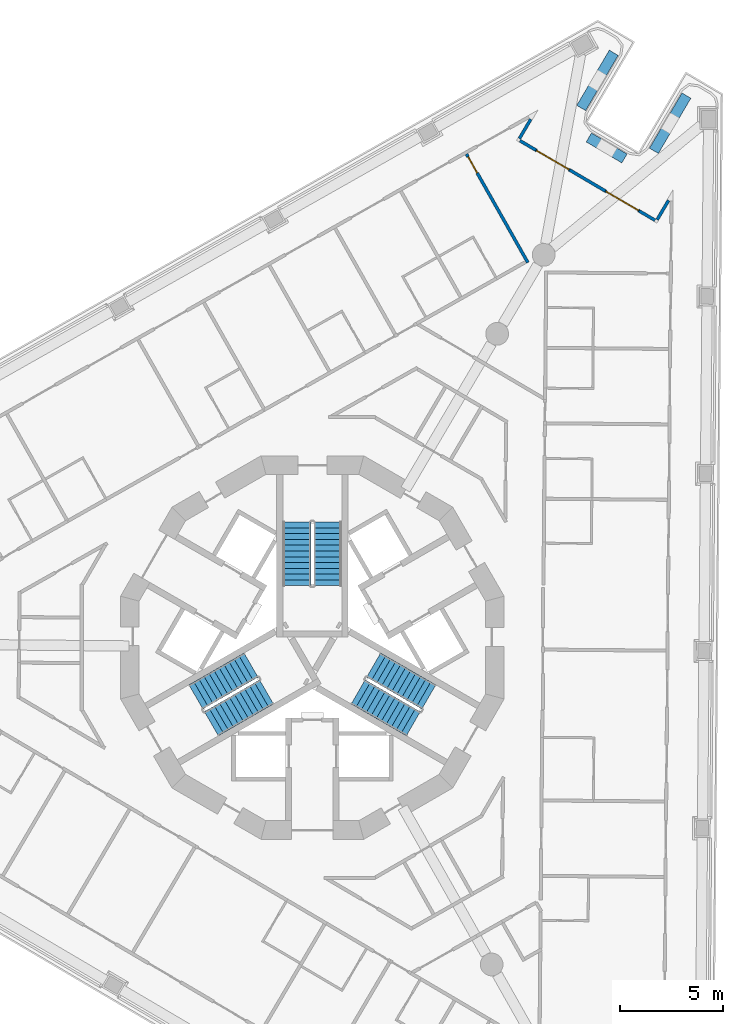
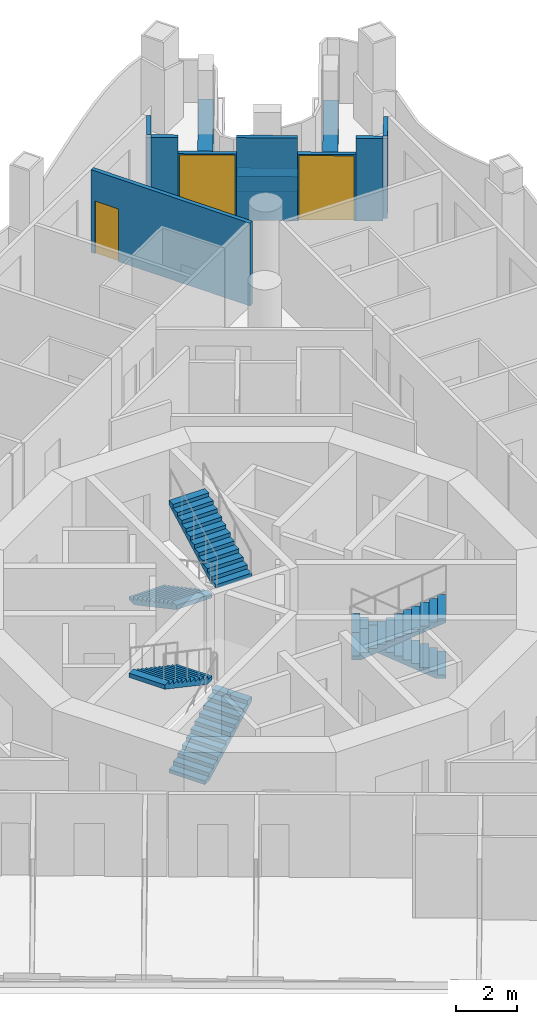
# One storey, part 10 of 17: 11 walls, 6 stair flights, 3 doors, 3 openings, 3 elements without a shape of their own.
"""IFC4 building model written with IfcOpenShell, lengths in metres."""

from ifc_helpers import new_model, si_unit, direction, frame, frame_2d, origin, place, context, subcontext, project, spatial, polyline, rectangle, outline, extrude, material, layer, layer_set, type_object, element, fill, aggregate, save


model = new_model("IFC4")

# Units and contexts
model_context = context("Model", 3, precision=1e-05, world=origin(), true_north=direction((0.0, 1.0)))
body_context = subcontext(model_context, "Body", "Model", "MODEL_VIEW")
ifc_project = project(units=[si_unit("LENGTHUNIT", "METRE"), si_unit("AREAUNIT", "SQUARE_METRE"), si_unit("VOLUMEUNIT", "CUBIC_METRE"), si_unit("PLANEANGLEUNIT", "RADIAN"), si_unit("MASSUNIT", "GRAM", prefix="KILO")], contexts=[model_context])

# Site, building, storey
site_placement = place(None, origin())
site = spatial("IfcSite", under=ifc_project, at=site_placement, CompositionType="ELEMENT")
building_placement = place(site_placement, origin())
building = spatial("IfcBuilding", under=site, at=building_placement, Name="Trine Commons Tower", CompositionType="ELEMENT")
storey_placement = place(building_placement, frame((0.0, 0.0, 179.10009765625)))
storey = spatial("IfcBuildingStorey", under=building, at=storey_placement, Name="L46", CompositionType="ELEMENT", Elevation=179.10009765625)

# Walls
ifc_material_1 = material(Name="Aluminium-framed insulated wall panel", Category="aluminium")
ifc_layer_1 = layer(ifc_material_1, 0.14990234375)
ifc_layer_set_1 = layer_set([ifc_layer_1], Name="Aluminium-framed insulated wall panel")
wall_type_1 = type_object("IfcWallType", Name="Glazed frame wall 150, EI 60", PredefinedType="SOLIDWALL", material=ifc_layer_set_1)
wall_1_placement = place(storey_placement, frame((90.63720703125, 88.173583984375, 0.0), z_axis=(0.0, 0.0, 1.0), x_axis=(-0.507591242276, -0.861598009958, 0.0)))
element("IfcWall", 1, at=wall_1_placement, inside=storey, type_object=wall_type_1, Name="Glazed frame wall R5", PredefinedType="SOLIDWALL", context=body_context, shape_type="SweptSolid", body=[
    extrude(outline(polyline([(0.1494140625, 0.074951171875), (0.1494140625, -0.074951171875), (1.235107421875, -0.074951171875), (1.235107421875, 0.074951171875), (0.1494140625, 0.074951171875)])), origin(), (0.0, 0.0, 1.0), 3.2998046875),
])
wall_2_placement = place(storey_placement, frame((89.9423828125, 87.062744140625, 0.0), z_axis=(0.0, 0.0, 1.0), x_axis=(0.861601384654, -0.50758551394, 0.0)))
element("IfcWall", 2, at=wall_2_placement, inside=storey, type_object=wall_type_1, Name="Glazed frame wall P2.1", PredefinedType="SOLIDWALL", context=body_context, shape_type="SweptSolid", body=[
    extrude(outline(polyline([(0.110107421875, -0.074951171875), (1.0, -0.074951171875), (1.0, 0.074951171875), (0.110107421875, 0.074951171875), (0.110107421875, -0.074951171875)])), origin(), (0.0, 0.0, 1.0), 3.2998046875),
])

# Wall, opening, door
wall_3_placement = place(storey_placement, frame((90.803955078125, 86.55517578125, 0.0), z_axis=(0.0, 0.0, 1.0), x_axis=(0.861603693734, -0.50758159437, 0.0)))
wall_3 = element("IfcWall", 3, at=wall_3_placement, inside=storey, type_object=wall_type_1, Name="Glazed frame wall P2.2", PredefinedType="SOLIDWALL", context=body_context, shape_type="SweptSolid", body=[
    extrude(outline(polyline([(0.0, -0.074951171875), (1.89990234375, -0.074951171875), (1.89990234375, 0.074951171875), (0.0, 0.074951171875), (0.0, -0.074951171875)])), origin(), (0.0, 0.0, 1.0), 2.64990234375),
])
opening_1_placement = place(wall_3_placement, frame((0.050048828125, 0.0, 0.0)))
opening_1 = element("IfcOpeningElement", 4, at=opening_1_placement, cuts=wall_3, Name="Opening BD-5P2-01", PredefinedType="OPENING", context=body_context, shape_type="SweptSolid", body=[
    extrude(rectangle(XDim=1.800048828125, YDim=2.60009765625, at=frame_2d((0.89990234375, 1.300048828125))), frame((0.0, 0.0849609375, 0.0), z_axis=(0.0, -1.0, 0.0), x_axis=(1.0, 0.0, 0.0)), (0.0, 0.0, 1.0), 0.169921875),
])
ifc_material_2 = material(Name="Anodised aluminium frame with double glazing", Category="aluminium")
door_type_1 = type_object("IfcDoorType", Name="Sliding loggia door 1800x2600", OperationType="SLIDING_TO_LEFT", PredefinedType="DOOR", material=ifc_material_2)
door_1_placement = place(opening_1_placement, origin())
door_1 = element("IfcDoor", 5, at=door_1_placement, inside=storey, type_object=door_type_1, Name="Loggia door P2 1", OperationType="SLIDING_TO_LEFT", OverallHeight=2.60009765625, OverallWidth=1.800048828125, PredefinedType="DOOR", context=body_context, shape_type="SweptSolid", body=[
    extrude(rectangle(XDim=1.800048828125, YDim=2.60009765625, at=frame_2d((0.89990234375, 1.300048828125))), frame((0.0, 0.02490234375, 0.0), z_axis=(0.0, -1.0, 0.0), x_axis=(1.0, 0.0, 0.0)), (0.0, 0.0, 1.0), 0.050048828125),
])
fill(opening_1, door_1)

# Wall
wall_4_placement = place(storey_placement, frame((92.44091796875, 85.5908203125, 0.0), z_axis=(0.0, 0.0, 1.0), x_axis=(0.861632831324, -0.507532130988, 0.0)))
element("IfcWall", 6, at=wall_4_placement, inside=storey, type_object=wall_type_1, Name="Glazed frame wall P2.3", PredefinedType="SOLIDWALL", context=body_context, shape_type="SweptSolid", body=[
    extrude(outline(polyline([(0.0, -0.074951171875), (2.0, -0.074951171875), (2.0, 0.074951171875), (0.0, 0.074951171875), (0.0, -0.074951171875)])), origin(), (0.0, 0.0, 1.0), 3.2998046875),
])

# Wall, opening, door
wall_5_placement = place(storey_placement, frame((94.164306640625, 84.57568359375, 0.0), z_axis=(0.0, 0.0, 1.0), x_axis=(0.86165989029, -0.507486190418, 0.0)))
wall_5 = element("IfcWall", 7, at=wall_5_placement, inside=storey, type_object=wall_type_1, Name="Glazed frame wall P2.4", PredefinedType="SOLIDWALL", context=body_context, shape_type="SweptSolid", body=[
    extrude(outline(polyline([(0.0, -0.074951171875), (1.89990234375, -0.074951171875), (1.89990234375, 0.074951171875), (0.0, 0.074951171875), (0.0, -0.074951171875)])), origin(), (0.0, 0.0, 1.0), 2.64990234375),
])
opening_2_placement = place(wall_5_placement, frame((0.050048828125, 0.0, 0.0)))
opening_2 = element("IfcOpeningElement", 8, at=opening_2_placement, cuts=wall_5, Name="Opening BD-5P2-02", PredefinedType="OPENING", context=body_context, shape_type="SweptSolid", body=[
    extrude(rectangle(XDim=1.800048828125, YDim=2.60009765625, at=frame_2d((0.89990234375, 1.300048828125))), frame((0.0, 0.0849609375, 0.0), z_axis=(0.0, -1.0, 0.0), x_axis=(1.0, 0.0, 0.0)), (0.0, 0.0, 1.0), 0.169921875),
])
door_2_placement = place(opening_2_placement, origin())
door_2 = element("IfcDoor", 9, at=door_2_placement, inside=storey, type_object=door_type_1, Name="Loggia door P2 2", OperationType="SLIDING_TO_LEFT", OverallHeight=2.60009765625, OverallWidth=1.800048828125, PredefinedType="DOOR", context=body_context, shape_type="SweptSolid", body=[
    extrude(rectangle(XDim=1.800048828125, YDim=2.60009765625, at=frame_2d((0.89990234375, 1.300048828125))), frame((0.0, 0.02490234375, 0.0), z_axis=(0.0, -1.0, 0.0), x_axis=(1.0, 0.0, 0.0)), (0.0, 0.0, 1.0), 0.050048828125),
])
fill(opening_2, door_2)

# Walls
wall_6_placement = place(storey_placement, frame((95.80126953125, 83.611572265625, 0.0), z_axis=(0.0, 0.0, 1.0), x_axis=(0.861664268073, -0.507478757315, 0.0)))
element("IfcWall", 10, at=wall_6_placement, inside=storey, type_object=wall_type_1, Name="Glazed frame wall P2.5", PredefinedType="SOLIDWALL", context=body_context, shape_type="SweptSolid", body=[
    extrude(outline(polyline([(0.889892578125, 0.074951171875), (0.0, 0.074951171875), (0.0, -0.074951171875), (0.889892578125, -0.074951171875), (0.889892578125, 0.074951171875)])), origin(), (0.0, 0.0, 1.0), 3.2998046875),
])
wall_7_placement = place(storey_placement, frame((96.614990234375, 83.091552734375, 0.0), z_axis=(0.0, 0.0, 1.0), x_axis=(0.507511857062, 0.86164477306, 0.0)))
element("IfcWall", 11, at=wall_7_placement, inside=storey, type_object=wall_type_1, Name="Glazed frame wall R7", PredefinedType="SOLIDWALL", context=body_context, shape_type="SweptSolid", body=[
    extrude(outline(polyline([(0.110107421875, 0.074951171875), (0.110107421875, -0.074951171875), (1.19580078125, -0.074951171875), (1.19580078125, 0.074951171875), (0.110107421875, 0.074951171875)])), origin(), (0.0, 0.0, 1.0), 3.2998046875),
])
ifc_material_3 = material(Name="Planter trough, precast concrete C40/50", Category="concrete")
ifc_layer_2 = layer(ifc_material_3, 0.5)
ifc_layer_set_2 = layer_set([ifc_layer_2], Name="Planter trough, precast concrete C40/50")
wall_type_2 = type_object("IfcWallType", Name="Planter trough 500x600", PredefinedType="PARAPET", material=ifc_layer_set_2)
wall_8_placement = place(storey_placement, frame((94.572509765625, 91.25830078125, 0.0), z_axis=(0.0, 0.0, 1.0), x_axis=(-0.507587916184, -0.861599969443, 0.0)))
element("IfcWall", 12, at=wall_8_placement, inside=storey, type_object=wall_type_2, Name="Planter 4", PredefinedType="PARAPET", context=body_context, shape_type="SweptSolid", body=[
    extrude(rectangle(XDim=3.099853515625, YDim=0.5, at=frame_2d((1.5498046875, 0.0))), origin(), (0.0, 0.0, 1.0), 0.599853515625),
])
wall_9_placement = place(storey_placement, frame((93.3671875, 87.163330078125, 0.0), z_axis=(0.0, 0.0, 1.0), x_axis=(0.861632831324, -0.507532130988, 0.0)))
element("IfcWall", 13, at=wall_9_placement, inside=storey, type_object=wall_type_2, Name="Planter 5", PredefinedType="PARAPET", context=body_context, shape_type="SweptSolid", body=[
    extrude(rectangle(XDim=2.000244140625, YDim=0.5, at=frame_2d((1.0, 0.0))), origin(), (0.0, 0.0, 1.0), 0.599853515625),
])
wall_10_placement = place(storey_placement, frame((96.514404296875, 86.5166015625, 0.0), z_axis=(0.0, 0.0, 1.0), x_axis=(0.507587916184, 0.861599969443, 0.0)))
element("IfcWall", 14, at=wall_10_placement, inside=storey, type_object=wall_type_2, Name="Planter 6", PredefinedType="PARAPET", context=body_context, shape_type="SweptSolid", body=[
    extrude(rectangle(XDim=3.099853515625, YDim=0.5, at=frame_2d((1.5498046875, 0.0))), origin(), (0.0, 0.0, 1.0), 0.599853515625),
])

# Wall, opening, door
ifc_material_4 = material(Name="Gypsum plasterboard on steel stud", Category="steel")
ifc_layer_3 = layer(ifc_material_4, 0.14990234375)
ifc_layer_set_3 = layer_set([ifc_layer_3], Name="Gypsum plasterboard on steel stud")
wall_type_3 = type_object("IfcWallType", Name="Unit and corridor wall 150 mm, EI 60", PredefinedType="PARTITIONING", material=ifc_layer_set_3)
wall_11_placement = place(storey_placement, frame((87.45263671875, 86.361083984375, 0.0), z_axis=(0.0, 0.0, 1.0), x_axis=(0.492389730591, -0.870374834889, 0.0)))
wall_11 = element("IfcWall", 15, at=wall_11_placement, inside=storey, type_object=wall_type_3, Name="Partition 105", PredefinedType="PARTITIONING", context=body_context, shape_type="SweptSolid", body=[
    extrude(rectangle(XDim=6.0244140625, YDim=0.14990234375, at=frame_2d((3.01220703125, 0.0))), origin(), (0.0, 0.0, 1.0), 3.2998046875),
])
opening_3_placement = place(wall_11_placement, frame((0.14990234375, 0.0, 0.0)))
opening_3 = element("IfcOpeningElement", 16, at=opening_3_placement, cuts=wall_11, Name="Opening D-5B14", PredefinedType="OPENING", context=body_context, shape_type="SweptSolid", body=[
    extrude(rectangle(XDim=0.89990234375, YDim=2.10009765625, at=frame_2d((0.449951171875, 1.050048828125))), frame((0.0, 0.0849609375, 0.0), z_axis=(0.0, -1.0, 0.0), x_axis=(1.0, 0.0, 0.0)), (0.0, 0.0, 1.0), 0.169921875),
])
ifc_material_5 = material(Name="Timber fire door set", Category="wood")
door_type_2 = type_object("IfcDoorType", Name="Bedroom door 900 x 2100, FD30S", OperationType="NOTDEFINED", PredefinedType="DOOR", material=ifc_material_5)
door_3_placement = place(opening_3_placement, frame((0.89990234375, 0.0, 0.0), z_axis=(0.0, 0.0, 1.0), x_axis=(-1.0, 0.0, 0.0)))
door_3 = element("IfcDoor", 17, at=door_3_placement, inside=storey, type_object=door_type_2, Name="Door D-5B14", OperationType="SINGLE_SWING_RIGHT", OverallHeight=2.10009765625, OverallWidth=0.89990234375, PredefinedType="DOOR", context=body_context, shape_type="SweptSolid", body=[
    extrude(rectangle(XDim=0.89990234375, YDim=2.10009765625, at=frame_2d((0.449951171875, 1.050048828125))), frame((0.0, 0.02490234375, 0.0), z_axis=(0.0, -1.0, 0.0), x_axis=(1.0, 0.0, 0.0)), (0.0, 0.0, 1.0), 0.050048828125),
])
fill(opening_3, door_3)

# Stair, stair flights
ifc_material_6 = material(Name="Concrete C50/60", Category="concrete")
stair_type = type_object("IfcStairType", Name="Exit stair, dog-leg, 24 risers of 150 mm", PredefinedType="HALF_TURN_STAIR", material=ifc_material_6)
stair_1_placement = place(storey_placement, origin())
stair_1 = element("IfcStair", 18, at=stair_1_placement, inside=storey, type_object=stair_type, Name="L46 Exit stair ST1B", PredefinedType="HALF_TURN_STAIR")
stair_flight_type = type_object("IfcStairFlightType", Name="Stair flight, 1350 wide, 12 risers of 150 mm", PredefinedType="STRAIGHT", material=ifc_material_6)
stair_flight_1_placement = place(storey_placement, frame((79.25, 68.570556640625, 0.0), z_axis=(0.0, 0.0, 1.0), x_axis=(0.0, -1.0, 0.0)))
stair_flight_1 = element("IfcStairFlight", 19, at=stair_flight_1_placement, type_object=stair_flight_type, Name="ST1B flight 1", NumberOfRisers=12, NumberOfTreads=11, PredefinedType="STRAIGHT", RiserHeight=0.15, TreadLength=0.28, context=body_context, shape_type="SweptSolid", body=[
    extrude(outline(polyline([(0.0, 0.0), (0.0, 0.14990234375), (0.280029296875, 0.14990234375), (0.280029296875, 0.300048828125), (0.56005859375, 0.300048828125), (0.56005859375, 0.449951171875), (0.840087890625, 0.449951171875), (0.840087890625, 0.60009765625), (1.1201171875, 0.60009765625), (1.1201171875, 0.75), (1.39990234375, 0.75), (1.39990234375, 0.89990234375), (1.679931640625, 0.89990234375), (1.679931640625, 1.050048828125), (1.9599609375, 1.050048828125), (1.9599609375, 1.199951171875), (2.239990234375, 1.199951171875), (2.239990234375, 1.35009765625), (2.52001953125, 1.35009765625), (2.52001953125, 1.5), (2.800048828125, 1.5), (2.800048828125, 1.64990234375), (3.080078125, 1.64990234375), (3.080078125, 1.800048828125), (3.080078125, 1.47998046875), (0.3173828125, 0.0), (0.0, 0.0)])), frame((0.0, 0.675048828125, 0.0), z_axis=(0.0, -1.0, 0.0), x_axis=(1.0, 0.0, 0.0)), (0.0, 0.0, 1.0), 1.35009765625),
])
stair_flight_2_placement = place(storey_placement, frame((80.75, 65.490478515625, 1.7998046875), z_axis=(0.0, 0.0, 1.0), x_axis=(0.0, 1.0, 0.0)))
stair_flight_2 = element("IfcStairFlight", 20, at=stair_flight_2_placement, type_object=stair_flight_type, Name="ST1B flight 2", NumberOfRisers=12, NumberOfTreads=11, PredefinedType="STRAIGHT", RiserHeight=0.15, TreadLength=0.28, context=body_context, shape_type="SweptSolid", body=[
    extrude(outline(polyline([(0.0, 0.0), (0.0, 0.14990234375), (0.280029296875, 0.14990234375), (0.280029296875, 0.300048828125), (0.56005859375, 0.300048828125), (0.56005859375, 0.449951171875), (0.840087890625, 0.449951171875), (0.840087890625, 0.60009765625), (1.1201171875, 0.60009765625), (1.1201171875, 0.75), (1.39990234375, 0.75), (1.39990234375, 0.89990234375), (1.679931640625, 0.89990234375), (1.679931640625, 1.050048828125), (1.9599609375, 1.050048828125), (1.9599609375, 1.199951171875), (2.239990234375, 1.199951171875), (2.239990234375, 1.35009765625), (2.52001953125, 1.35009765625), (2.52001953125, 1.5), (2.800048828125, 1.5), (2.800048828125, 1.64990234375), (3.080078125, 1.64990234375), (3.080078125, 1.800048828125), (3.080078125, 1.47998046875), (0.3173828125, 0.0), (0.0, 0.0)])), frame((0.0, 0.675048828125, 0.0), z_axis=(0.0, -1.0, 0.0), x_axis=(1.0, 0.0, 0.0)), (0.0, 0.0, 1.0), 1.35009765625),
])
aggregate(stair_1, [stair_flight_1, stair_flight_2])

stair_2_placement = place(storey_placement, origin())
stair_2 = element("IfcStair", 21, at=stair_2_placement, inside=storey, type_object=stair_type, Name="L46 Exit stair ST2B", PredefinedType="HALF_TURN_STAIR")
stair_flight_3_placement = place(storey_placement, frame((75.11767578125, 58.815185546875, 0.0), z_axis=(0.0, 0.0, 1.0), x_axis=(0.866025403784, 0.5, 0.0)))
stair_flight_3 = element("IfcStairFlight", 22, at=stair_flight_3_placement, type_object=stair_flight_type, Name="ST2B flight 1", NumberOfRisers=12, NumberOfTreads=11, PredefinedType="STRAIGHT", RiserHeight=0.15, TreadLength=0.28, context=body_context, shape_type="SweptSolid", body=[
    extrude(outline(polyline([(0.0, 0.0), (0.0, 0.14990234375), (0.280029296875, 0.14990234375), (0.280029296875, 0.300048828125), (0.56005859375, 0.300048828125), (0.56005859375, 0.449951171875), (0.840087890625, 0.449951171875), (0.840087890625, 0.60009765625), (1.1201171875, 0.60009765625), (1.1201171875, 0.75), (1.39990234375, 0.75), (1.39990234375, 0.89990234375), (1.679931640625, 0.89990234375), (1.679931640625, 1.050048828125), (1.9599609375, 1.050048828125), (1.9599609375, 1.199951171875), (2.239990234375, 1.199951171875), (2.239990234375, 1.35009765625), (2.52001953125, 1.35009765625), (2.52001953125, 1.5), (2.800048828125, 1.5), (2.800048828125, 1.64990234375), (3.080078125, 1.64990234375), (3.080078125, 1.800048828125), (3.080078125, 1.47998046875), (0.3173828125, 0.0), (0.0, 0.0)])), frame((0.0, 0.675048828125, 0.0), z_axis=(0.0, -1.0, 0.0), x_axis=(1.0, 0.0, 0.0)), (0.0, 0.0, 1.0), 1.35009765625),
])
stair_flight_4_placement = place(storey_placement, frame((77.03515625, 61.654296875, 1.7998046875), z_axis=(0.0, 0.0, 1.0), x_axis=(-0.866025403784, -0.5, 0.0)))
stair_flight_4 = element("IfcStairFlight", 23, at=stair_flight_4_placement, type_object=stair_flight_type, Name="ST2B flight 2", NumberOfRisers=12, NumberOfTreads=11, PredefinedType="STRAIGHT", RiserHeight=0.15, TreadLength=0.28, context=body_context, shape_type="SweptSolid", body=[
    extrude(outline(polyline([(0.0, 0.0), (0.0, 0.14990234375), (0.280029296875, 0.14990234375), (0.280029296875, 0.300048828125), (0.56005859375, 0.300048828125), (0.56005859375, 0.449951171875), (0.840087890625, 0.449951171875), (0.840087890625, 0.60009765625), (1.1201171875, 0.60009765625), (1.1201171875, 0.75), (1.39990234375, 0.75), (1.39990234375, 0.89990234375), (1.679931640625, 0.89990234375), (1.679931640625, 1.050048828125), (1.9599609375, 1.050048828125), (1.9599609375, 1.199951171875), (2.239990234375, 1.199951171875), (2.239990234375, 1.35009765625), (2.52001953125, 1.35009765625), (2.52001953125, 1.5), (2.800048828125, 1.5), (2.800048828125, 1.64990234375), (3.080078125, 1.64990234375), (3.080078125, 1.800048828125), (3.080078125, 1.47998046875), (0.3173828125, 0.0), (0.0, 0.0)])), frame((0.0, 0.675048828125, 0.0), z_axis=(0.0, -1.0, 0.0), x_axis=(1.0, 0.0, 0.0)), (0.0, 0.0, 1.0), 1.35009765625),
])
aggregate(stair_2, [stair_flight_3, stair_flight_4])

stair_3_placement = place(storey_placement, origin())
stair_3 = element("IfcStair", 24, at=stair_3_placement, inside=storey, type_object=stair_type, Name="L46 Exit stair ST3B", PredefinedType="HALF_TURN_STAIR")
stair_flight_5_placement = place(storey_placement, frame((85.63232421875, 60.1142578125, 0.0), z_axis=(0.0, 0.0, 1.0), x_axis=(-0.866025403784, 0.5, 0.0)))
stair_flight_5 = element("IfcStairFlight", 25, at=stair_flight_5_placement, type_object=stair_flight_type, Name="ST3B flight 1", NumberOfRisers=12, NumberOfTreads=11, PredefinedType="STRAIGHT", RiserHeight=0.15, TreadLength=0.28, context=body_context, shape_type="SweptSolid", body=[
    extrude(outline(polyline([(0.0, 0.0), (0.0, 0.14990234375), (0.280029296875, 0.14990234375), (0.280029296875, 0.300048828125), (0.56005859375, 0.300048828125), (0.56005859375, 0.449951171875), (0.840087890625, 0.449951171875), (0.840087890625, 0.60009765625), (1.1201171875, 0.60009765625), (1.1201171875, 0.75), (1.39990234375, 0.75), (1.39990234375, 0.89990234375), (1.679931640625, 0.89990234375), (1.679931640625, 1.050048828125), (1.9599609375, 1.050048828125), (1.9599609375, 1.199951171875), (2.239990234375, 1.199951171875), (2.239990234375, 1.35009765625), (2.52001953125, 1.35009765625), (2.52001953125, 1.5), (2.800048828125, 1.5), (2.800048828125, 1.64990234375), (3.080078125, 1.64990234375), (3.080078125, 1.800048828125), (3.080078125, 1.47998046875), (0.3173828125, 0.0), (0.0, 0.0)])), frame((0.0, 0.675048828125, 0.0), z_axis=(0.0, -1.0, 0.0), x_axis=(1.0, 0.0, 0.0)), (0.0, 0.0, 1.0), 1.35009765625),
])
stair_flight_6_placement = place(storey_placement, frame((82.21484375, 60.355224609375, 1.7998046875), z_axis=(0.0, 0.0, 1.0), x_axis=(0.866025403784, -0.5, 0.0)))
stair_flight_6 = element("IfcStairFlight", 26, at=stair_flight_6_placement, type_object=stair_flight_type, Name="ST3B flight 2", NumberOfRisers=12, NumberOfTreads=11, PredefinedType="STRAIGHT", RiserHeight=0.15, TreadLength=0.28, context=body_context, shape_type="SweptSolid", body=[
    extrude(outline(polyline([(0.0, 0.0), (0.0, 0.14990234375), (0.280029296875, 0.14990234375), (0.280029296875, 0.300048828125), (0.56005859375, 0.300048828125), (0.56005859375, 0.449951171875), (0.840087890625, 0.449951171875), (0.840087890625, 0.60009765625), (1.1201171875, 0.60009765625), (1.1201171875, 0.75), (1.39990234375, 0.75), (1.39990234375, 0.89990234375), (1.679931640625, 0.89990234375), (1.679931640625, 1.050048828125), (1.9599609375, 1.050048828125), (1.9599609375, 1.199951171875), (2.239990234375, 1.199951171875), (2.239990234375, 1.35009765625), (2.52001953125, 1.35009765625), (2.52001953125, 1.5), (2.800048828125, 1.5), (2.800048828125, 1.64990234375), (3.080078125, 1.64990234375), (3.080078125, 1.800048828125), (3.080078125, 1.47998046875), (0.3173828125, 0.0), (0.0, 0.0)])), frame((0.0, 0.675048828125, 0.0), z_axis=(0.0, -1.0, 0.0), x_axis=(1.0, 0.0, 0.0)), (0.0, 0.0, 1.0), 1.35009765625),
])
aggregate(stair_3, [stair_flight_5, stair_flight_6])

save(model, "model.ifc")
